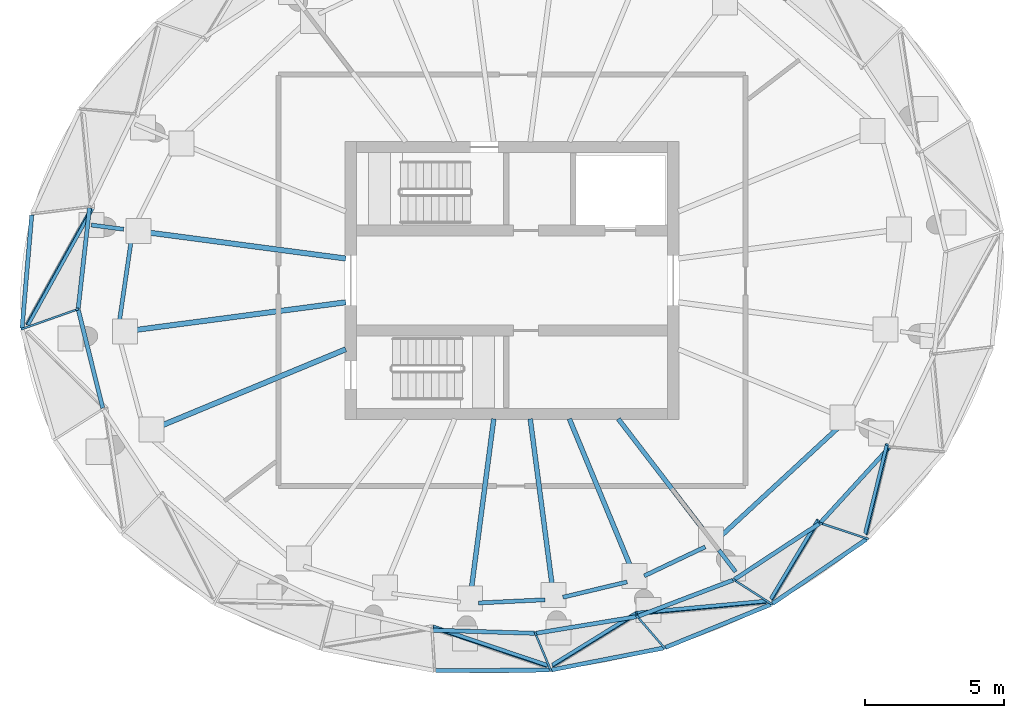
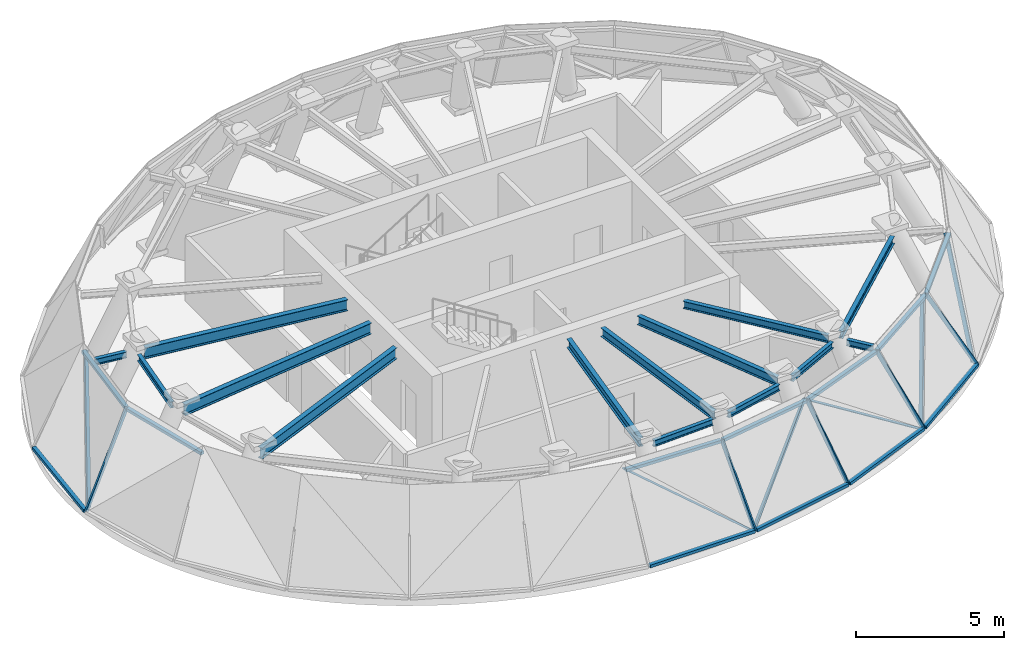
# One storey, part 2 of 9: 23 members, 14 beams, 13 elements without a shape of their own.
"""IFC4 building model written with IfcOpenShell, lengths in metres."""

import ifcopenshell
import ifcopenshell.guid

model = None  # the IFC model being written
_history = None  # IfcOwnerHistory: only IFC2X3 demands one
_inside = {}  # id of a spatial element -> (the spatial element, [elements in it])
_under = {}  # id of a project, library or spatial element -> (it, [spatial elements below it])
_declared = {}  # id of a project -> (the project, [libraries it declares])
_typed = {}  # id of a type object -> (the type object, [elements of that type])
_made_of = {}  # id of a material, layer set ... -> (it, [elements and type objects made of it])


def new_model(schema):
    """Start an empty IFC model of exactly this schema.

    Asked for "IFC4X3", IfcOpenShell would pick the latest addendum, in which some entities
    have other attributes; the version numbers below select the first issue.
    IFC2X3 requires an IfcOwnerHistory on every rooted entity: one is made here for all.
    """
    global model, _history
    if schema == "IFC4X3":
        model = ifcopenshell.file(schema_version=(4, 3, 0, 0))
    else:
        model = ifcopenshell.file(schema=schema)
    _inside.clear()
    _under.clear()
    _declared.clear()
    _typed.clear()
    _made_of.clear()
    _history = None
    if model.schema == "IFC2X3":
        org = make("IfcOrganization", Name="unknown")
        user = make(
            "IfcPersonAndOrganization",
            ThePerson=make("IfcPerson", FamilyName="unknown"),
            TheOrganization=org,
        )
        app = make(
            "IfcApplication",
            ApplicationDeveloper=org,
            Version="unknown",
            ApplicationFullName="unknown",
            ApplicationIdentifier="unknown",
        )
        _history = make(
            "IfcOwnerHistory",
            OwningUser=user,
            OwningApplication=app,
            ChangeAction="ADDED",
            CreationDate=0,
        )
    return model


def make(cls, **values):
    """One entity of the class cls with the attributes given. An attribute that is None is left unset."""
    return model.create_entity(
        cls, **{name: value for name, value in values.items() if value is not None}
    )


def rooted(cls, **values):
    """An entity with a GlobalId (a new one), such as an element, a storey or a relation."""
    return make(cls, GlobalId=ifcopenshell.guid.new(), OwnerHistory=_history, **values)


def si_unit(unit_type, name, prefix=None):
    """IfcSIUnit, for example si_unit("LENGTHUNIT", "METRE", prefix="MILLI")."""
    return make("IfcSIUnit", UnitType=unit_type, Prefix=prefix, Name=name)


def assignment(units):
    """IfcUnitAssignment: the units of a project."""
    return None if units is None else make("IfcUnitAssignment", Units=units)


def point(xyz):
    """IfcCartesianPoint."""
    return None if xyz is None else make("IfcCartesianPoint", Coordinates=xyz)


def direction(xyz):
    """IfcDirection."""
    return None if xyz is None else make("IfcDirection", DirectionRatios=xyz)


def frame(location, z_axis=None, x_axis=None):
    """IfcAxis2Placement3D, a coordinate frame: its origin and axes. An axis left out is left unset."""
    return make(
        "IfcAxis2Placement3D",
        Location=point(location),
        Axis=direction(z_axis),
        RefDirection=direction(x_axis),
    )


def frame_2d(location, x_axis=None):
    """IfcAxis2Placement2D, a coordinate frame in the plane: its origin and x axis."""
    return make(
        "IfcAxis2Placement2D", Location=point(location), RefDirection=direction(x_axis)
    )


def origin():
    """The frame at (0, 0, 0) with its axes left unset."""
    return frame((0.0, 0.0, 0.0))


def origin_2d():
    """The frame at (0, 0) in the plane with its x axis left unset."""
    return frame_2d((0.0, 0.0))


def place(relative_to, where):
    """IfcLocalPlacement: puts the frame where relative to a parent placement (None: the world)."""
    return make(
        "IfcLocalPlacement", PlacementRelTo=relative_to, RelativePlacement=where
    )


def context(
    kind, dimensions, precision=None, world=None, true_north=None, identifier=None
):
    """IfcGeometricRepresentationContext, for example the 3D "Model" context."""
    return make(
        "IfcGeometricRepresentationContext",
        ContextIdentifier=identifier,
        ContextType=kind,
        CoordinateSpaceDimension=dimensions,
        Precision=precision,
        WorldCoordinateSystem=world,
        TrueNorth=true_north,
    )


def subcontext(parent, identifier, kind, view, scale=None):
    """IfcGeometricRepresentationSubContext, for example "Body" below "Model"."""
    return make(
        "IfcGeometricRepresentationSubContext",
        ContextIdentifier=identifier,
        ContextType=kind,
        ParentContext=parent,
        TargetScale=scale,
        TargetView=view,
    )


def project(units=None, contexts=None):
    """IfcProject with its units and contexts."""
    return rooted(
        "IfcProject",
        Name="project",
        RepresentationContexts=contexts,
        UnitsInContext=assignment(units),
    )


def spatial(cls, under=None, at=None, **own):
    """A site, building, storey or space (cls), placed at a placement, below another one or the project."""
    s = rooted(cls, ObjectPlacement=at, **own)
    if under is not None:
        _under.setdefault(under.id(), (under, []))[1].append(s)
    return s


def profile(cls, at=None, kind="AREA", **sizes):
    """A parametric profile (cls). Its sizes go by their IFC names, for example OverallWidth=200.0."""
    return make(cls, ProfileType=kind, Position=at, **sizes)


def rectangle(**sizes):
    """IfcRectangleProfileDef."""
    return profile("IfcRectangleProfileDef", **sizes)


def i_section(**sizes):
    """IfcIShapeProfileDef."""
    return profile("IfcIShapeProfileDef", **sizes)


def extrude(swept, where, along, depth):
    """IfcExtrudedAreaSolid: the profile swept, set in the frame where, extruded along a direction by depth."""
    return make(
        "IfcExtrudedAreaSolid",
        SweptArea=swept,
        Position=where,
        ExtrudedDirection=direction(along),
        Depth=depth,
    )


def shape(context_of_items, identifier, shape_type, items):
    """IfcShapeRepresentation: the items that make up one representation, for example the "Body"."""
    return make(
        "IfcShapeRepresentation",
        ContextOfItems=context_of_items,
        RepresentationIdentifier=identifier,
        RepresentationType=shape_type,
        Items=items,
    )


def source(mapping_origin, context_of_items, identifier, shape_type, items):
    """IfcRepresentationMap: a shape defined once, which mapped items show again and again."""
    return make(
        "IfcRepresentationMap",
        MappingOrigin=mapping_origin,
        MappedRepresentation=shape(context_of_items, identifier, shape_type, items),
    )


def transform(
    local_origin,
    x_axis=None,
    y_axis=None,
    z_axis=None,
    scale=None,
    scale2=None,
    scale3=None,
    uniform=True,
):
    """IfcCartesianTransformationOperator3D, or its non-uniform kind. x_axis, y_axis, z_axis: its Axis1, 2, 3."""
    if uniform:
        return make(
            "IfcCartesianTransformationOperator3D",
            Axis1=direction(x_axis),
            Axis2=direction(y_axis),
            LocalOrigin=point(local_origin),
            Scale=scale,
            Axis3=direction(z_axis),
        )
    return make(
        "IfcCartesianTransformationOperator3DnonUniform",
        Axis1=direction(x_axis),
        Axis2=direction(y_axis),
        LocalOrigin=point(local_origin),
        Scale=scale,
        Axis3=direction(z_axis),
        Scale2=scale2,
        Scale3=scale3,
    )


def mapped(mapping_source, mapping_target):
    """IfcMappedItem: shows the shape of a source again, moved by a transform."""
    return make(
        "IfcMappedItem", MappingSource=mapping_source, MappingTarget=mapping_target
    )


def material(Name=None, Category=None):
    """IfcMaterial."""
    return make("IfcMaterial", Name=Name, Category=Category)


def layer(
    of_material, thickness, ventilated=None, Name=None, Category=None, Priority=None
):
    """IfcMaterialLayer: one layer of a wall or slab, of a material (None: an air gap)."""
    return make(
        "IfcMaterialLayer",
        Material=of_material,
        LayerThickness=thickness,
        IsVentilated=ventilated,
        Name=Name,
        Category=Category,
        Priority=Priority,
    )


def layer_set(layers, Name=None):
    """IfcMaterialLayerSet."""
    return make("IfcMaterialLayerSet", MaterialLayers=layers, LayerSetName=Name)


def material_profile(
    of_material, cross_section, Name=None, Category=None, Priority=None
):
    """IfcMaterialProfile: a cross section and its material."""
    return make(
        "IfcMaterialProfile",
        Name=Name,
        Material=of_material,
        Profile=cross_section,
        Priority=Priority,
        Category=Category,
    )


def profile_set(profiles, Name=None, composite=None):
    """IfcMaterialProfileSet."""
    return make(
        "IfcMaterialProfileSet",
        Name=Name,
        MaterialProfiles=profiles,
        CompositeProfile=composite,
    )


def made_of(thing, what):
    """Note that an element or type object is made of a material, layer set ...; save() writes the relation."""
    if what is not None:
        _made_of.setdefault(what.id(), (what, []))[1].append(thing)
    return thing


def type_object(cls, material=None, **own):
    """A type object (cls), such as IfcWallType, which elements share."""
    return made_of(rooted(cls, **own), material)


def element(
    cls,
    number,
    at=None,
    inside=None,
    cuts=None,
    type_object=None,
    material=None,
    context=None,
    identifier="Body",
    shape_type=None,
    held_by="IfcProductDefinitionShape",
    body=None,
    shapes=None,
    **own,
):
    """One element of the class cls, such as IfcWall. Its Tag is "e" and its number.

    at: its placement. inside: the storey or other place that contains it. cuts: it is an
    opening in that element (IfcRelVoidsElement). A single representation is given by context,
    identifier, shape_type and body (its items); several are given by shapes. held_by: the class
    of the entity that holds the representations. save() writes the other relations.
    """
    e = rooted(cls, Tag="e%d" % number, ObjectPlacement=at, **own)
    if body is not None:
        shapes = [shape(context, identifier, shape_type, body)]
    if shapes is not None:
        e.Representation = make(held_by, Representations=shapes)
    if inside is not None:
        _inside.setdefault(inside.id(), (inside, []))[1].append(e)
    if cuts is not None:
        rooted(
            "IfcRelVoidsElement", RelatingBuildingElement=cuts, RelatedOpeningElement=e
        )
    if type_object is not None:
        _typed.setdefault(type_object.id(), (type_object, []))[1].append(e)
    return made_of(e, material)


def aggregate(whole, parts):
    """IfcRelAggregates: a whole, such as a stair, and the parts it consists of."""
    return rooted("IfcRelAggregates", RelatingObject=whole, RelatedObjects=parts)


def save(model, path):
    """Write the relations noted so far, then the file.

    IfcRelAggregates (storeys below a building ...), IfcRelContainedInSpatialStructure (elements
    in a storey), IfcRelDefinesByType, IfcRelAssociatesMaterial and IfcRelDeclares: one each for
    every whole, place, type object, material and project.
    """
    for whole, parts in _under.values():
        aggregate(whole, parts)
    for where, things in _inside.values():
        rooted(
            "IfcRelContainedInSpatialStructure",
            RelatedElements=things,
            RelatingStructure=where,
        )
    for kind, things in _typed.values():
        rooted("IfcRelDefinesByType", RelatedObjects=things, RelatingType=kind)
    for what, things in _made_of.values():
        rooted("IfcRelAssociatesMaterial", RelatedObjects=things, RelatingMaterial=what)
    for by, libraries in _declared.values():
        rooted("IfcRelDeclares", RelatingContext=by, RelatedDefinitions=libraries)
    model.write(path)


model = new_model("IFC4")

# Units and contexts
model_context = context("Model", 3, precision=1e-05, world=origin(), true_north=direction((0.0, 1.0)))
body_context = subcontext(model_context, "Body", "Model", "MODEL_VIEW")
ifc_project = project(units=[si_unit("LENGTHUNIT", "METRE"), si_unit("AREAUNIT", "SQUARE_METRE"), si_unit("VOLUMEUNIT", "CUBIC_METRE"), si_unit("PLANEANGLEUNIT", "RADIAN"), si_unit("MASSUNIT", "GRAM", prefix="KILO")], contexts=[model_context])

# Site, building, storey
site_placement = place(None, origin())
site = spatial("IfcSite", under=ifc_project, at=site_placement, CompositionType="ELEMENT")
building_placement = place(site_placement, origin())
building = spatial("IfcBuilding", under=site, at=building_placement, Name="Spindrift Exchange Tower", CompositionType="ELEMENT")
storey_placement = place(building_placement, frame((0.0, 0.0, 276.60009765625)))
storey = spatial("IfcBuildingStorey", under=building, at=storey_placement, Name="L68", CompositionType="ELEMENT", Elevation=276.60009765625)

# Beams
ifc_material_1 = material(Name="Steel Grade 300", Category="steel")
ifc_material_profile_1 = material_profile(ifc_material_1, i_section(OverallWidth=0.18994140625, OverallDepth=0.45703125, WebThickness=0.009033203125, FlangeThickness=0.014404296875, FilletRadius=0.013916015625, at=origin_2d()), Name="460UB74.6")
ifc_profile_set_1 = profile_set([ifc_material_profile_1], Name="Steel Grade 300")
beam_type_1 = type_object("IfcBeamType", Name="Floor Beam 460UB74.6 Steel Grade 300", PredefinedType="BEAM", material=ifc_profile_set_1)
shared_shape_1 = source(origin(), body_context, "Body", "SweptSolid", [
    extrude(i_section(OverallWidth=0.18994140625, OverallDepth=0.45703125, WebThickness=0.009033203125, FlangeThickness=0.014404296875, FilletRadius=0.013916015625, at=origin_2d()), origin(), (0.0, 0.0, 1.0), 7.943115234375),
])
beam_1_placement = place(storey_placement, frame((46.019775390625, 47.212646484375, 2.991455078125), z_axis=(-0.991443726216, -0.130534814311, 0.0), x_axis=(0.130534814311, -0.991443726216, 0.0)))
element("IfcBeam", 1, at=beam_1_placement, inside=storey, type_object=beam_type_1, Name="L68 radial beam R13A", PredefinedType="BEAM", context=body_context, shape_type="MappedRepresentation", body=[
    mapped(shared_shape_1, transform((0.0, 0.0, 0.0), scale=1.0)),
])
shared_shape_2 = source(origin(), body_context, "Body", "SweptSolid", [
    extrude(i_section(OverallWidth=0.18994140625, OverallDepth=0.45703125, WebThickness=0.009033203125, FlangeThickness=0.014404296875, FilletRadius=0.013916015625, at=origin_2d()), origin(), (0.0, 0.0, 1.0), 7.5029296875),
])
beam_2_placement = place(storey_placement, frame((46.0185546875, 45.5224609375, 2.991455078125), z_axis=(-0.923876836775, -0.382689940384, 0.0), x_axis=(0.382689940384, -0.923876836775, 0.0)))
element("IfcBeam", 2, at=beam_2_placement, inside=storey, type_object=beam_type_1, Name="L68 radial beam R14A", PredefinedType="BEAM", context=body_context, shape_type="MappedRepresentation", body=[
    mapped(shared_shape_2, transform((0.0, 0.0, 0.0), scale=1.0)),
])
ifc_material_profile_2 = material_profile(ifc_material_1, i_section(OverallWidth=0.172119140625, OverallDepth=0.35888671875, WebThickness=0.008056640625, FlangeThickness=0.012939453125, FilletRadius=0.013916015625, at=origin_2d()), Name="360UB56.7")
ifc_profile_set_2 = profile_set([ifc_material_profile_2], Name="Steel Grade 300")
beam_type_2 = type_object("IfcBeamType", Name="Floor Beam 360UB56.7 Steel Grade 300", PredefinedType="BEAM", material=ifc_profile_set_2)
shared_shape_3 = source(origin(), body_context, "Body", "SweptSolid", [
    extrude(i_section(OverallWidth=0.172119140625, OverallDepth=0.35888671875, WebThickness=0.008056640625, FlangeThickness=0.012939453125, FilletRadius=0.013916015625, at=origin_2d()), origin(), (0.0, 0.0, 1.0), 6.36669921875),
])
beam_3_placement = place(storey_placement, frame((51.34423828125, 43.019775390625, 3.040283203125), z_axis=(-0.130530891591, -0.991444242679, 0.0), x_axis=(0.991444242679, -0.130530891591, 0.0)))
element("IfcBeam", 3, at=beam_3_placement, inside=storey, type_object=beam_type_2, Name="L68 radial beam R18A", PredefinedType="BEAM", context=body_context, shape_type="MappedRepresentation", body=[
    mapped(shared_shape_3, transform((0.0, 0.0, 0.0), scale=1.0)),
])
shared_shape_4 = source(origin(), body_context, "Body", "SweptSolid", [
    extrude(i_section(OverallWidth=0.172119140625, OverallDepth=0.35888671875, WebThickness=0.008056640625, FlangeThickness=0.012939453125, FilletRadius=0.013916015625, at=origin_2d()), origin(), (0.0, 0.0, 1.0), 6.221435546875),
])
beam_4_placement = place(storey_placement, frame((52.65576171875, 43.019775390625, 3.040283203125), z_axis=(0.130518463995, -0.991445878783, 0.0), x_axis=(0.991445878783, 0.130518463995, 0.0)))
element("IfcBeam", 4, at=beam_4_placement, inside=storey, type_object=beam_type_2, Name="L68 radial beam R19A", PredefinedType="BEAM", context=body_context, shape_type="MappedRepresentation", body=[
    mapped(shared_shape_4, transform((0.0, 0.0, 0.0), scale=1.0)),
])
shared_shape_5 = source(origin(), body_context, "Body", "SweptSolid", [
    extrude(i_section(OverallWidth=0.172119140625, OverallDepth=0.35888671875, WebThickness=0.008056640625, FlangeThickness=0.012939453125, FilletRadius=0.013916015625, at=origin_2d()), origin(), (0.0, 0.0, 1.0), 5.937255859375),
])
beam_5_placement = place(storey_placement, frame((54.0634765625, 43.0185546875, 3.040283203125), z_axis=(0.382664117037, -0.923887532946, 0.0), x_axis=(0.923887532946, 0.382664117037, 0.0)))
element("IfcBeam", 5, at=beam_5_placement, inside=storey, type_object=beam_type_2, Name="L68 radial beam R20A", PredefinedType="BEAM", context=body_context, shape_type="MappedRepresentation", body=[
    mapped(shared_shape_5, transform((0.0, 0.0, 0.0), scale=1.0)),
])
ifc_material_profile_3 = material_profile(ifc_material_1, i_section(OverallWidth=0.1650390625, OverallDepth=0.303955078125, WebThickness=0.006103515625, FlangeThickness=0.01025390625, FilletRadius=0.011474609375, at=origin_2d()), Name="310UB40.4")
ifc_profile_set_3 = profile_set([ifc_material_profile_3], Name="Steel Grade 300")
beam_type_3 = type_object("IfcBeamType", Name="Floor Beam 310UB40.4 Steel Grade 300", PredefinedType="BEAM", material=ifc_profile_set_3)
shared_shape_6 = source(origin(), body_context, "Body", "SweptSolid", [
    extrude(i_section(OverallWidth=0.1650390625, OverallDepth=0.303955078125, WebThickness=0.006103515625, FlangeThickness=0.01025390625, FilletRadius=0.011474609375, at=origin_2d()), origin(), (0.0, 0.0, 1.0), 5.2939453125),
])
beam_6_placement = place(storey_placement, frame((55.824462890625, 43.015869140625, 3.06787109375), z_axis=(0.608780987308, -0.793338332297, 0.0), x_axis=(0.793338332297, 0.608780987308, 0.0)))
element("IfcBeam", 6, at=beam_6_placement, inside=storey, type_object=beam_type_3, Name="L68 radial beam R21A", PredefinedType="BEAM", context=body_context, shape_type="MappedRepresentation", body=[
    mapped(shared_shape_6, transform((0.0, 0.0, 0.0), scale=1.0)),
])
ifc_material_profile_4 = material_profile(ifc_material_1, i_section(OverallWidth=0.14599609375, OverallDepth=0.251953125, WebThickness=0.006103515625, FlangeThickness=0.008544921875, FilletRadius=0.011962890625, at=origin_2d()), Name="250UB31.4")
ifc_profile_set_4 = profile_set([ifc_material_profile_4], Name="Steel Grade 300")
beam_type_4 = type_object("IfcBeamType", Name="Cantilever Beam 250UB31.4 Steel Grade 300", PredefinedType="BEAM", material=ifc_profile_set_4)
shared_shape_7 = source(origin(), body_context, "Body", "SweptSolid", [
    extrude(i_section(OverallWidth=0.14599609375, OverallDepth=0.251953125, WebThickness=0.006103515625, FlangeThickness=0.008544921875, FilletRadius=0.011962890625, at=origin_2d()), origin(), (0.0, 0.0, 1.0), 0.979736328125),
])
beam_7_placement = place(storey_placement, frame((59.448974609375, 38.292236328125, 3.093994140625), z_axis=(0.60873490351, -0.793373693318, 0.0), x_axis=(0.793373693318, 0.60873490351, 0.0)))
element("IfcBeam", 7, at=beam_7_placement, inside=storey, type_object=beam_type_4, Name="L68 cantilever beam R21T", PredefinedType="BEAM", context=body_context, shape_type="MappedRepresentation", body=[
    mapped(shared_shape_7, transform((0.0, 0.0, 0.0), scale=1.0)),
])
shared_shape_8 = source(origin(), body_context, "Body", "SweptSolid", [
    extrude(i_section(OverallWidth=0.18994140625, OverallDepth=0.45703125, WebThickness=0.009033203125, FlangeThickness=0.014404296875, FilletRadius=0.013916015625, at=origin_2d()), origin(), (0.0, 0.0, 1.0), 7.403076171875),
])
beam_8_placement = place(storey_placement, frame((46.019775390625, 48.787353515625, 2.991455078125), z_axis=(-0.991444864308, 0.130526169935, 0.0), x_axis=(-0.130526169935, -0.991444864308, 0.0)))
element("IfcBeam", 8, at=beam_8_placement, inside=storey, type_object=beam_type_1, Name="L68 radial beam R12A", PredefinedType="BEAM", context=body_context, shape_type="MappedRepresentation", body=[
    mapped(shared_shape_8, transform((0.0, 0.0, 0.0), scale=1.0)),
])
shared_shape_9 = source(origin(), body_context, "Body", "SweptSolid", [
    extrude(i_section(OverallWidth=0.14599609375, OverallDepth=0.251953125, WebThickness=0.006103515625, FlangeThickness=0.008544921875, FilletRadius=0.011962890625, at=origin_2d()), origin(), (0.0, 0.0, 1.0), 1.16748046875),
])
beam_9_placement = place(storey_placement, frame((38.025634765625, 49.83984375, 3.093994140625), z_axis=(-0.991449312325, 0.130492379433, 0.0), x_axis=(-0.130492379433, -0.991449312325, 0.0)))
element("IfcBeam", 9, at=beam_9_placement, inside=storey, type_object=beam_type_4, Name="L68 cantilever beam R12T", PredefinedType="BEAM", context=body_context, shape_type="MappedRepresentation", body=[
    mapped(shared_shape_9, transform((0.0, 0.0, 0.0), scale=1.0)),
])
ifc_material_profile_5 = material_profile(ifc_material_1, i_section(OverallWidth=0.14599609375, OverallDepth=0.251953125, WebThickness=0.006103515625, FlangeThickness=0.008544921875, FilletRadius=0.011962890625, at=origin_2d()), Name="250UB31.4")
ifc_profile_set_5 = profile_set([ifc_material_profile_5], Name="Steel Grade 300")
beam_type_5 = type_object("IfcBeamType", Name="Edge Beam 250UB31.4 Steel Grade 300", PredefinedType="SPANDREL", material=ifc_profile_set_5)
shared_shape_10 = source(origin(), body_context, "Body", "SweptSolid", [
    extrude(i_section(OverallWidth=0.14599609375, OverallDepth=0.251953125, WebThickness=0.006103515625, FlangeThickness=0.008544921875, FilletRadius=0.011962890625, at=origin_2d()), origin(), (0.0, 0.0, 1.0), 2.384033203125),
])
beam_10_placement = place(storey_placement, frame((50.7998046875, 36.395751953125, 3.093994140625), z_axis=(0.99887530871, 0.047414319042, 0.0), x_axis=(-0.047414319042, 0.99887530871, 0.0)))
element("IfcBeam", 10, at=beam_10_placement, inside=storey, type_object=beam_type_5, Name="L68 edge beam E18", PredefinedType="SPANDREL", context=body_context, shape_type="MappedRepresentation", body=[
    mapped(shared_shape_10, transform((0.0, 0.0, 0.0), scale=1.0)),
])
shared_shape_11 = source(origin(), body_context, "Body", "SweptSolid", [
    extrude(i_section(OverallWidth=0.14599609375, OverallDepth=0.251953125, WebThickness=0.006103515625, FlangeThickness=0.008544921875, FilletRadius=0.011962890625, at=origin_2d()), origin(), (0.0, 0.0, 1.0), 2.373779296875),
])
beam_11_placement = place(storey_placement, frame((53.831787109375, 36.600830078125, 3.093994140625), z_axis=(0.972682475793, 0.232139615932, 0.0), x_axis=(-0.232139615932, 0.972682475793, 0.0)))
element("IfcBeam", 11, at=beam_11_placement, inside=storey, type_object=beam_type_5, Name="L68 edge beam E19", PredefinedType="SPANDREL", context=body_context, shape_type="MappedRepresentation", body=[
    mapped(shared_shape_11, transform((0.0, 0.0, 0.0), scale=1.0)),
])
shared_shape_12 = source(origin(), body_context, "Body", "SweptSolid", [
    extrude(i_section(OverallWidth=0.14599609375, OverallDepth=0.251953125, WebThickness=0.006103515625, FlangeThickness=0.008544921875, FilletRadius=0.011962890625, at=origin_2d()), origin(), (0.0, 0.0, 1.0), 2.42578125),
])
beam_12_placement = place(storey_placement, frame((56.759765625, 37.3701171875, 3.093994140625), z_axis=(0.902992561973, 0.429656180011, 0.0), x_axis=(-0.429656180011, 0.902992561973, 0.0)))
element("IfcBeam", 12, at=beam_12_placement, inside=storey, type_object=beam_type_5, Name="L68 edge beam E20", PredefinedType="SPANDREL", context=body_context, shape_type="MappedRepresentation", body=[
    mapped(shared_shape_12, transform((0.0, 0.0, 0.0), scale=1.0)),
])
ifc_material_profile_6 = material_profile(ifc_material_1, i_section(OverallWidth=0.1650390625, OverallDepth=0.303955078125, WebThickness=0.006103515625, FlangeThickness=0.01025390625, FilletRadius=0.011474609375, at=origin_2d()), Name="310UB40.4")
ifc_profile_set_6 = profile_set([ifc_material_profile_6], Name="Steel Grade 300")
beam_type_6 = type_object("IfcBeamType", Name="Edge Beam 310UB40.4 Steel Grade 300", PredefinedType="SPANDREL", material=ifc_profile_set_6)
shared_shape_13 = source(origin(), body_context, "Body", "SweptSolid", [
    extrude(i_section(OverallWidth=0.1650390625, OverallDepth=0.303955078125, WebThickness=0.006103515625, FlangeThickness=0.01025390625, FilletRadius=0.011474609375, at=origin_2d()), origin(), (0.0, 0.0, 1.0), 5.896728515625),
])
beam_13_placement = place(storey_placement, frame((59.490478515625, 38.77783203125, 3.06787109375), z_axis=(0.734581175456, 0.678520815205, 0.0), x_axis=(-0.678520815205, 0.734581175456, 0.0)))
element("IfcBeam", 13, at=beam_13_placement, inside=storey, type_object=beam_type_6, Name="L68 edge beam E21", PredefinedType="SPANDREL", context=body_context, shape_type="MappedRepresentation", body=[
    mapped(shared_shape_13, transform((0.0, 0.0, 0.0), scale=1.0)),
])
shared_shape_14 = source(origin(), body_context, "Body", "SweptSolid", [
    extrude(i_section(OverallWidth=0.14599609375, OverallDepth=0.251953125, WebThickness=0.006103515625, FlangeThickness=0.008544921875, FilletRadius=0.011962890625, at=origin_2d()), origin(), (0.0, 0.0, 1.0), 3.04296875),
])
beam_14_placement = place(storey_placement, frame((38.30517578125, 49.47021484375, 3.093994140625), z_axis=(-0.144655492732, -0.9894820809, 0.0), x_axis=(0.9894820809, -0.144655492732, 0.0)))
element("IfcBeam", 14, at=beam_14_placement, inside=storey, type_object=beam_type_5, Name="L68 edge beam E12", PredefinedType="SPANDREL", context=body_context, shape_type="MappedRepresentation", body=[
    mapped(shared_shape_14, transform((0.0, 0.0, 0.0), scale=1.0)),
])

# Curtain wall, member
ifc_material_2 = material(Name="Fritted laminated glass with bronze frame", Category="glass")
ifc_layer = layer(ifc_material_2, 0.14990234375)
ifc_layer_set = layer_set([ifc_layer], Name="CROWN BRONZE RAKED GLAZED WALL")
curtain_wall_type = type_object("IfcCurtainWallType", Name="CROWN BRONZE RAKED GLAZED WALL", PredefinedType="NOTDEFINED", material=ifc_layer_set)
curtain_wall_1_placement = place(storey_placement, origin())
curtain_wall_1 = element("IfcCurtainWall", 15, at=curtain_wall_1_placement, inside=storey, type_object=curtain_wall_type, Name="L68 Crown Bronze Raked Glazed Wall facet 23", PredefinedType="NOTDEFINED")
ifc_material_3 = material(Name="Bronze anodised aluminium", Category="aluminium")
ifc_material_profile_7 = material_profile(ifc_material_3, rectangle(XDim=0.14990234375, YDim=0.1201171875, at=origin_2d()), Name="CROWN BRONZE RAKED GLAZED WALL TRANSOM 150X120")
ifc_profile_set_7 = profile_set([ifc_material_profile_7], Name="Bronze anodised aluminium")
member_type_1 = type_object("IfcMemberType", Name="CROWN BRONZE RAKED GLAZED WALL TRANSOM 150X120", PredefinedType="USERDEFINED", material=ifc_profile_set_7)
shared_shape_15 = source(origin(), body_context, "Body", "SweptSolid", [
    extrude(rectangle(XDim=0.14990234375, YDim=0.1201171875, at=origin_2d()), origin(), (0.0, 0.0, 1.0), 4.083740234375),
])
member_1_placement = place(storey_placement, frame((34.373779296875, 46.286865234375, 0.059814453125), z_axis=(0.085133222011, 0.99636957727, 0.0), x_axis=(-0.99636957727, 0.085133222011, 0.0)))
member_1 = element("IfcMember", 16, at=member_1_placement, type_object=member_type_1, Name="L68 transom CW-R.12a", ObjectType="TRANSOM", PredefinedType="USERDEFINED", context=body_context, shape_type="MappedRepresentation", body=[
    mapped(shared_shape_15, transform((0.0, 0.0, 0.0), scale=1.0)),
])
aggregate(curtain_wall_1, [member_1])

curtain_wall_2_placement = place(storey_placement, origin())
curtain_wall_2 = element("IfcCurtainWall", 17, at=curtain_wall_2_placement, inside=storey, type_object=curtain_wall_type, Name="L68 Crown Bronze Raked Glazed Wall facet 41", PredefinedType="NOTDEFINED")
shared_shape_16 = source(origin(), body_context, "Body", "SweptSolid", [
    extrude(rectangle(XDim=0.14990234375, YDim=0.1201171875, at=origin_2d()), origin(), (0.0, 0.0, 1.0), 4.097900390625),
])
member_2_placement = place(storey_placement, frame((61.372802734375, 36.375, 0.059814453125), z_axis=(0.825102616768, 0.564982895141, 0.0), x_axis=(-0.564982895141, 0.825102616768, 0.0)))
member_2 = element("IfcMember", 18, at=member_2_placement, type_object=member_type_1, Name="L68 transom CW-R.21a", ObjectType="TRANSOM", PredefinedType="USERDEFINED", context=body_context, shape_type="MappedRepresentation", body=[
    mapped(shared_shape_16, transform((0.0, 0.0, 0.0), scale=1.0)),
])

curtain_wall_3_placement = place(storey_placement, origin())
curtain_wall_3 = element("IfcCurtainWall", 19, at=curtain_wall_3_placement, inside=storey, type_object=curtain_wall_type, Name="L68 Crown Bronze Raked Glazed Wall facet 39", PredefinedType="NOTDEFINED")
shared_shape_17 = source(origin(), body_context, "Body", "SweptSolid", [
    extrude(rectangle(XDim=0.14990234375, YDim=0.1201171875, at=origin_2d()), origin(), (0.0, 0.0, 1.0), 4.099609375),
])
member_3_placement = place(storey_placement, frame((61.3115234375, 36.342041015625, 0.059814453125), z_axis=(-0.92589185911, -0.377788651543, 0.0), x_axis=(0.377788651543, -0.92589185911, 0.0)))
member_3 = element("IfcMember", 20, at=member_3_placement, type_object=member_type_1, Name="L68 transom CW-R.20a", ObjectType="TRANSOM", PredefinedType="USERDEFINED", context=body_context, shape_type="MappedRepresentation", body=[
    mapped(shared_shape_17, transform((0.0, 0.0, 0.0), scale=1.0)),
])

curtain_wall_4_placement = place(storey_placement, origin())
curtain_wall_4 = element("IfcCurtainWall", 21, at=curtain_wall_4_placement, inside=storey, type_object=curtain_wall_type, Name="L68 Crown Bronze Raked Glazed Wall facet 35", PredefinedType="NOTDEFINED")
shared_shape_18 = source(origin(), body_context, "Body", "SweptSolid", [
    extrude(rectangle(XDim=0.14990234375, YDim=0.1201171875, at=origin_2d()), origin(), (0.0, 0.0, 1.0), 4.100341796875),
])
member_4_placement = place(storey_placement, frame((53.35498046875, 33.9794921875, 0.059814453125), z_axis=(-0.999989490439, -0.004584649644, 0.0), x_axis=(0.004584649644, -0.999989490439, 0.0)))
member_4 = element("IfcMember", 22, at=member_4_placement, type_object=member_type_1, Name="L68 transom CW-R.18a", ObjectType="TRANSOM", PredefinedType="USERDEFINED", context=body_context, shape_type="MappedRepresentation", body=[
    mapped(shared_shape_18, transform((0.0, 0.0, 0.0), scale=1.0)),
])
aggregate(curtain_wall_4, [member_4])

curtain_wall_5_placement = place(storey_placement, origin())
curtain_wall_5 = element("IfcCurtainWall", 23, at=curtain_wall_5_placement, inside=storey, type_object=curtain_wall_type, Name="L68 Crown Bronze Raked Glazed Wall facet 37", PredefinedType="NOTDEFINED")
member_5_placement = place(storey_placement, frame((53.424560546875, 33.986328125, 0.059814453125), z_axis=(0.981414356528, 0.191900653467, 0.0), x_axis=(-0.191900653467, 0.981414356528, 0.0)))
member_5 = element("IfcMember", 24, at=member_5_placement, type_object=member_type_1, Name="L68 transom CW-R.19a", ObjectType="TRANSOM", PredefinedType="USERDEFINED", context=body_context, shape_type="MappedRepresentation", body=[
    mapped(shared_shape_18, transform((0.0, 0.0, 0.0), scale=1.0)),
])

curtain_wall_6_placement = place(storey_placement, origin())
curtain_wall_6 = element("IfcCurtainWall", 25, at=curtain_wall_6_placement, inside=storey, type_object=curtain_wall_type, Name="L68 Crown Bronze Raked Glazed Wall facet 24", PredefinedType="NOTDEFINED")
shared_shape_19 = source(origin(), body_context, "Body", "SweptSolid", [
    extrude(rectangle(XDim=0.14990234375, YDim=0.1201171875, at=origin_2d()), origin(), (0.0, 0.0, 1.0), 3.63427734375),
])
member_6_placement = place(storey_placement, frame((36.394287109375, 47.002197265625, 3.159912109375), z_axis=(0.111648000541, 0.993747817092, 0.0), x_axis=(-0.993747817092, 0.111648000541, 0.0)))
member_6 = element("IfcMember", 26, at=member_6_placement, type_object=member_type_1, Name="L68 transom CW-R.12b", ObjectType="TRANSOM", PredefinedType="USERDEFINED", context=body_context, shape_type="MappedRepresentation", body=[
    mapped(shared_shape_19, transform((0.0, 0.0, 0.0), scale=1.0)),
])

# Curtain wall, members
curtain_wall_7_placement = place(storey_placement, origin())
curtain_wall_7 = element("IfcCurtainWall", 27, at=curtain_wall_7_placement, inside=storey, type_object=curtain_wall_type, Name="L68 Crown Bronze Raked Glazed Wall facet 26", PredefinedType="NOTDEFINED")
member_7_placement = place(storey_placement, frame((36.398681640625, 46.93359375, 3.159912109375), z_axis=(0.241571306487, -0.97038307069, 0.0), x_axis=(0.97038307069, 0.241571306487, 0.0)))
member_7 = element("IfcMember", 28, at=member_7_placement, type_object=member_type_1, Name="L68 transom CW-R.13b", ObjectType="TRANSOM", PredefinedType="USERDEFINED", context=body_context, shape_type="MappedRepresentation", body=[
    mapped(shared_shape_19, transform((0.0, 0.0, 0.0), scale=1.0)),
])
ifc_material_profile_8 = material_profile(ifc_material_3, rectangle(XDim=0.070068359375, YDim=0.14990234375, at=origin_2d()), Name="CROWN BRONZE RAKED GLAZED WALL MULLION 70X150")
ifc_profile_set_8 = profile_set([ifc_material_profile_8], Name="Bronze anodised aluminium")
member_type_2 = type_object("IfcMemberType", Name="CROWN BRONZE RAKED GLAZED WALL MULLION 70X150", PredefinedType="MULLION", material=ifc_profile_set_8)
shared_shape_20 = source(origin(), body_context, "Body", "SweptSolid", [
    extrude(rectangle(XDim=0.070068359375, YDim=0.14990234375, at=origin_2d()), origin(), (0.0, 0.0, 1.0), 3.76806640625),
])
member_8_placement = place(storey_placement, frame((34.396728515625, 46.26123046875, 0.04150390625), z_axis=(0.522173172487, 0.184986277138, 0.832535437807), x_axis=(-0.33392725094, 0.942598849501, 0.0)))
member_8 = element("IfcMember", 29, at=member_8_placement, type_object=member_type_2, Name="L68 mullion CW-R.13", PredefinedType="MULLION", context=body_context, shape_type="MappedRepresentation", body=[
    mapped(shared_shape_20, transform((0.0, 0.0, 0.0), scale=1.0)),
])
aggregate(curtain_wall_7, [member_7, member_8])

# Curtain wall, member
curtain_wall_8_placement = place(storey_placement, origin())
curtain_wall_8 = element("IfcCurtainWall", 30, at=curtain_wall_8_placement, inside=storey, type_object=curtain_wall_type, Name="L68 Crown Bronze Raked Glazed Wall facet 44", PredefinedType="NOTDEFINED")
shared_shape_21 = source(origin(), body_context, "Body", "SweptSolid", [
    extrude(rectangle(XDim=0.14990234375, YDim=0.1201171875, at=origin_2d()), origin(), (0.0, 0.0, 1.0), 3.642333984375),
])
member_9_placement = place(storey_placement, frame((63.10986328125, 39.29443359375, 3.159912109375), z_axis=(0.674445762336, 0.738324395958, 0.0), x_axis=(-0.738324395958, 0.674445762336, 0.0)))
member_9 = element("IfcMember", 31, at=member_9_placement, type_object=member_type_1, Name="L68 transom CW-R.22b", ObjectType="TRANSOM", PredefinedType="USERDEFINED", context=body_context, shape_type="MappedRepresentation", body=[
    mapped(shared_shape_21, transform((0.0, 0.0, 0.0), scale=1.0)),
])

curtain_wall_9_placement = place(storey_placement, origin())
curtain_wall_9 = element("IfcCurtainWall", 32, at=curtain_wall_9_placement, inside=storey, type_object=curtain_wall_type, Name="L68 Crown Bronze Raked Glazed Wall facet 40", PredefinedType="NOTDEFINED")
shared_shape_22 = source(origin(), body_context, "Body", "SweptSolid", [
    extrude(rectangle(XDim=0.14990234375, YDim=0.1201171875, at=origin_2d()), origin(), (0.0, 0.0, 1.0), 3.646728515625),
])
member_10_placement = place(storey_placement, frame((59.948974609375, 37.21533203125, 3.159912109375), z_axis=(-0.934654139779, -0.355558207604, 0.0), x_axis=(0.355558207604, -0.934654139779, 0.0)))
member_10 = element("IfcMember", 33, at=member_10_placement, type_object=member_type_1, Name="L68 transom CW-R.20b", ObjectType="TRANSOM", PredefinedType="USERDEFINED", context=body_context, shape_type="MappedRepresentation", body=[
    mapped(shared_shape_22, transform((0.0, 0.0, 0.0), scale=1.0)),
])

curtain_wall_10_placement = place(storey_placement, origin())
curtain_wall_10 = element("IfcCurtainWall", 34, at=curtain_wall_10_placement, inside=storey, type_object=curtain_wall_type, Name="L68 Crown Bronze Raked Glazed Wall facet 36", PredefinedType="NOTDEFINED")
shared_shape_23 = source(origin(), body_context, "Body", "SweptSolid", [
    extrude(rectangle(XDim=0.14990234375, YDim=0.1201171875, at=origin_2d()), origin(), (0.0, 0.0, 1.0), 3.6474609375),
])
member_11_placement = place(storey_placement, frame((52.804931640625, 35.302734375, 3.159912109375), z_axis=(-0.999511357517, 0.031257738161, 0.0), x_axis=(-0.031257738161, -0.999511357517, 0.0)))
member_11 = element("IfcMember", 35, at=member_11_placement, type_object=member_type_1, Name="L68 transom CW-R.18b", ObjectType="TRANSOM", PredefinedType="USERDEFINED", context=body_context, shape_type="MappedRepresentation", body=[
    mapped(shared_shape_23, transform((0.0, 0.0, 0.0), scale=1.0)),
])

curtain_wall_11_placement = place(storey_placement, origin())
curtain_wall_11 = element("IfcCurtainWall", 36, at=curtain_wall_11_placement, inside=storey, type_object=curtain_wall_type, Name="L68 Crown Bronze Raked Glazed Wall facet 38", PredefinedType="NOTDEFINED")
member_12_placement = place(storey_placement, frame((52.87451171875, 35.307373046875, 3.159912109375), z_axis=(0.986694371983, 0.162586027376, 0.0), x_axis=(-0.162586027376, 0.986694371983, 0.0)))
member_12 = element("IfcMember", 37, at=member_12_placement, type_object=member_type_1, Name="L68 transom CW-R.19b", ObjectType="TRANSOM", PredefinedType="USERDEFINED", context=body_context, shape_type="MappedRepresentation", body=[
    mapped(shared_shape_23, transform((0.0, 0.0, 0.0), scale=1.0)),
])

# Member
shared_shape_24 = source(origin(), body_context, "Body", "SweptSolid", [
    extrude(rectangle(XDim=0.070068359375, YDim=0.14990234375, at=origin_2d()), origin(), (0.0, 0.0, 1.0), 5.3251953125),
])
member_13_placement = place(storey_placement, frame((53.249267578125, 34.145751953125, 0.060791015625), z_axis=(-0.770715490468, 0.259854583307, 0.581784520495), x_axis=(-0.636612868401, -0.275537971146, -0.720279724998)))
member_13 = element("IfcMember", 38, at=member_13_placement, type_object=member_type_2, Name="L68 glazing bar CW-R.18", PredefinedType="MULLION", context=body_context, shape_type="MappedRepresentation", body=[
    mapped(shared_shape_24, transform((0.0, 0.0, 0.0), scale=1.0)),
])

aggregate(curtain_wall_10, [member_11, member_13])

shared_shape_25 = source(origin(), body_context, "Body", "SweptSolid", [
    extrude(rectangle(XDim=0.070068359375, YDim=0.14990234375, at=origin_2d()), origin(), (0.0, 0.0, 1.0), 3.457275390625),
])
member_14_placement = place(storey_placement, frame((53.385009765625, 33.9921875, 0.030517578125), z_axis=(-0.156132928557, 0.37518509698, 0.913705998461), x_axis=(-0.923246491563, -0.384208167296, 0.0)))
member_14 = element("IfcMember", 39, at=member_14_placement, type_object=member_type_2, Name="L68 mullion CW-R.19", PredefinedType="MULLION", context=body_context, shape_type="MappedRepresentation", body=[
    mapped(shared_shape_25, transform((0.0, 0.0, 0.0), scale=1.0)),
])

aggregate(curtain_wall_11, [member_12, member_14])

shared_shape_26 = source(origin(), body_context, "Body", "SweptSolid", [
    extrude(rectangle(XDim=0.070068359375, YDim=0.14990234375, at=origin_2d()), origin(), (0.0, 0.0, 1.0), 4.707763671875),
])
member_15_placement = place(storey_placement, frame((53.4677734375, 34.1572265625, 0.05615234375), z_axis=(0.639049614596, 0.394900820835, 0.660052218987), x_axis=(-0.748105242214, 0.119678494128, 0.652698708911)))
member_15 = element("IfcMember", 40, at=member_15_placement, type_object=member_type_2, Name="L68 glazing bar CW-R.19", PredefinedType="MULLION", context=body_context, shape_type="MappedRepresentation", body=[
    mapped(shared_shape_26, transform((0.0, 0.0, 0.0), scale=1.0)),
])

aggregate(curtain_wall_5, [member_5, member_15])

shared_shape_27 = source(origin(), body_context, "Body", "SweptSolid", [
    extrude(rectangle(XDim=0.070068359375, YDim=0.14990234375, at=origin_2d()), origin(), (0.0, 0.0, 1.0), 3.478515625),
])
member_16_placement = place(storey_placement, frame((57.4736328125, 34.791015625, 0.031494140625), z_axis=(-0.274911935111, 0.317443625863, 0.907553288977), x_axis=(-0.75593166722, -0.654650528521, 0.0)))
member_16 = element("IfcMember", 41, at=member_16_placement, type_object=member_type_2, Name="L68 mullion CW-R.20", PredefinedType="MULLION", context=body_context, shape_type="MappedRepresentation", body=[
    mapped(shared_shape_27, transform((0.0, 0.0, 0.0), scale=1.0)),
])

aggregate(curtain_wall_3, [member_3, member_16])

shared_shape_28 = source(origin(), body_context, "Body", "SweptSolid", [
    extrude(rectangle(XDim=0.070068359375, YDim=0.14990234375, at=origin_2d()), origin(), (0.0, 0.0, 1.0), 5.600830078125),
])
member_17_placement = place(storey_placement, frame((61.1376953125, 36.4501953125, 0.0625), z_axis=(-0.829893647895, -0.077022011441, 0.552579535394), x_axis=(-0.451663631487, -0.488686063445, -0.746448856511)))
member_17 = element("IfcMember", 42, at=member_17_placement, type_object=member_type_2, Name="L68 glazing bar CW-R.20", PredefinedType="MULLION", context=body_context, shape_type="MappedRepresentation", body=[
    mapped(shared_shape_28, transform((0.0, 0.0, 0.0), scale=1.0)),
])

aggregate(curtain_wall_9, [member_10, member_17])

# Curtain wall, members
curtain_wall_12_placement = place(storey_placement, origin())
curtain_wall_12 = element("IfcCurtainWall", 43, at=curtain_wall_12_placement, inside=storey, type_object=curtain_wall_type, Name="L68 Crown Bronze Raked Glazed Wall facet 42", PredefinedType="NOTDEFINED")
shared_shape_29 = source(origin(), body_context, "Body", "SweptSolid", [
    extrude(rectangle(XDim=0.14990234375, YDim=0.1201171875, at=origin_2d()), origin(), (0.0, 0.0, 1.0), 3.645263671875),
])
member_18_placement = place(storey_placement, frame((60.010986328125, 37.2470703125, 3.159912109375), z_axis=(0.835618526888, 0.54931018334, 0.0), x_axis=(-0.54931018334, 0.835618526888, 0.0)))
member_18 = element("IfcMember", 44, at=member_18_placement, type_object=member_type_1, Name="L68 transom CW-R.21b", ObjectType="TRANSOM", PredefinedType="USERDEFINED", context=body_context, shape_type="MappedRepresentation", body=[
    mapped(shared_shape_29, transform((0.0, 0.0, 0.0), scale=1.0)),
])
shared_shape_30 = source(origin(), body_context, "Body", "SweptSolid", [
    extrude(rectangle(XDim=0.070068359375, YDim=0.14990234375, at=origin_2d()), origin(), (0.0, 0.0, 1.0), 3.528076171875),
])
member_19_placement = place(storey_placement, frame((61.32958984375, 36.364501953125, 0.03369140625), z_axis=(-0.377975417823, 0.242134014457, 0.893591462898), x_axis=(-0.539416743344, -0.842038940311, 0.0)))
member_19 = element("IfcMember", 45, at=member_19_placement, type_object=member_type_2, Name="L68 mullion CW-R.21", PredefinedType="MULLION", context=body_context, shape_type="MappedRepresentation", body=[
    mapped(shared_shape_30, transform((0.0, 0.0, 0.0), scale=1.0)),
])
aggregate(curtain_wall_12, [member_18, member_19])

# Member
shared_shape_31 = source(origin(), body_context, "Body", "SweptSolid", [
    extrude(rectangle(XDim=0.070068359375, YDim=0.14990234375, at=origin_2d()), origin(), (0.0, 0.0, 1.0), 4.52099609375),
])
member_20_placement = place(storey_placement, frame((61.334228515625, 36.5458984375, 0.05419921875), z_axis=(0.372400439081, 0.622647485876, 0.688206379878), x_axis=(-0.766349049522, -0.21195762921, 0.60645123276)))
member_20 = element("IfcMember", 46, at=member_20_placement, type_object=member_type_2, Name="L68 glazing bar CW-R.21", PredefinedType="MULLION", context=body_context, shape_type="MappedRepresentation", body=[
    mapped(shared_shape_31, transform((0.0, 0.0, 0.0), scale=1.0)),
])

aggregate(curtain_wall_2, [member_2, member_20])

shared_shape_32 = source(origin(), body_context, "Body", "SweptSolid", [
    extrude(rectangle(XDim=0.070068359375, YDim=0.14990234375, at=origin_2d()), origin(), (0.0, 0.0, 1.0), 3.59912109375),
])
member_21_placement = place(storey_placement, frame((64.763671875, 38.71630859375, 0.036376953125), z_axis=(-0.460738506127, 0.151747944377, 0.874467032168), x_axis=(-0.312827565719, -0.94980993579, 0.0)))
member_21 = element("IfcMember", 47, at=member_21_placement, type_object=member_type_2, Name="L68 mullion CW-R.22", PredefinedType="MULLION", context=body_context, shape_type="MappedRepresentation", body=[
    mapped(shared_shape_32, transform((0.0, 0.0, 0.0), scale=1.0)),
])

aggregate(curtain_wall_8, [member_9, member_21])

# Curtain wall, member
curtain_wall_13_placement = place(storey_placement, origin())
curtain_wall_13 = element("IfcCurtainWall", 48, at=curtain_wall_13_placement, inside=storey, type_object=curtain_wall_type, Name="L68 Crown Bronze Raked Glazed Wall facet 43", PredefinedType="NOTDEFINED")
shared_shape_33 = source(origin(), body_context, "Body", "SweptSolid", [
    extrude(rectangle(XDim=0.070068359375, YDim=0.14990234375, at=origin_2d()), origin(), (0.0, 0.0, 1.0), 4.5224609375),
])
member_22_placement = place(storey_placement, frame((64.723876953125, 38.897216796875, 0.05419921875), z_axis=(0.172481371825, 0.704933256118, 0.687982035225), x_axis=(-0.712167918339, -0.393273954645, 0.581508772665)))
member_22 = element("IfcMember", 49, at=member_22_placement, type_object=member_type_2, Name="L68 glazing bar CW-R.22", PredefinedType="MULLION", context=body_context, shape_type="MappedRepresentation", body=[
    mapped(shared_shape_33, transform((0.0, 0.0, 0.0), scale=1.0)),
])
aggregate(curtain_wall_13, [member_22])

# Member
shared_shape_34 = source(origin(), body_context, "Body", "SweptSolid", [
    extrude(rectangle(XDim=0.070068359375, YDim=0.14990234375, at=origin_2d()), origin(), (0.0, 0.0, 1.0), 5.73388671875),
])
member_23_placement = place(storey_placement, frame((34.57568359375, 46.4130859375, 0.06298828125), z_axis=(0.40769241705, 0.736656554296, 0.539559092309), x_axis=(-0.317716709775, 0.668415321099, -0.672515465139)))
member_23 = element("IfcMember", 50, at=member_23_placement, type_object=member_type_2, Name="L68 glazing bar CW-R.12", PredefinedType="MULLION", context=body_context, shape_type="MappedRepresentation", body=[
    mapped(shared_shape_34, transform((0.0, 0.0, 0.0), scale=1.0)),
])

aggregate(curtain_wall_6, [member_6, member_23])

save(model, "model.ifc")
